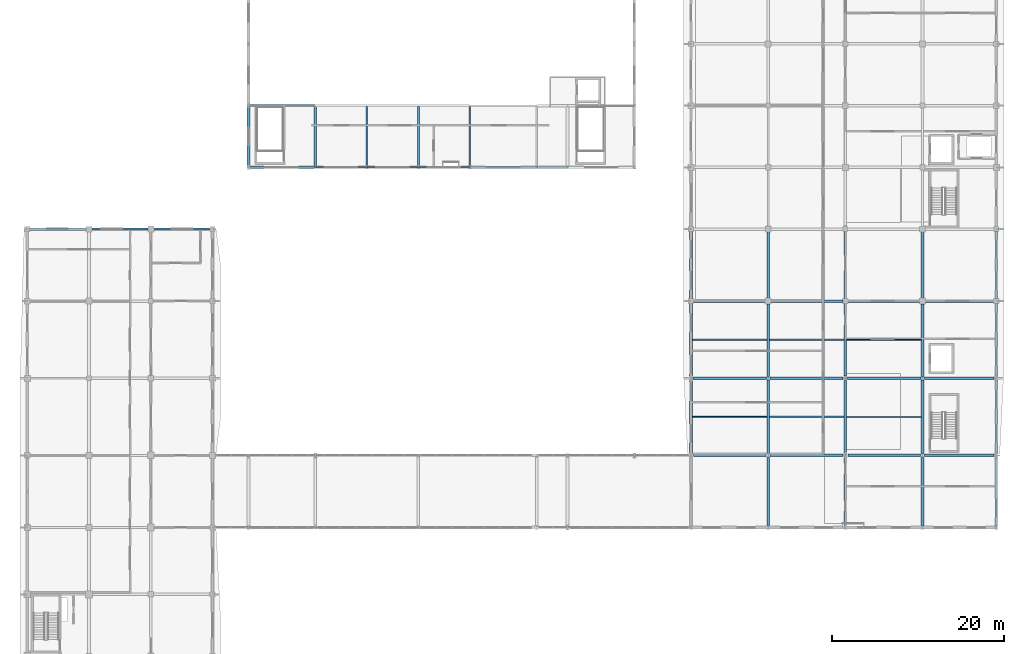
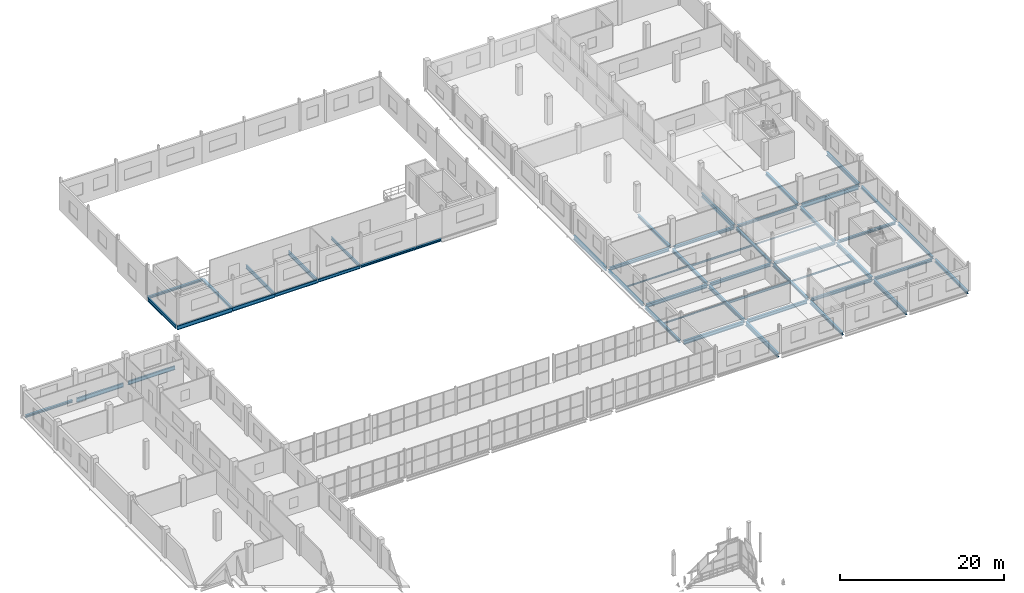
# One storey, part 70 of 121: 52 beams.
"""IFC4 building model written with IfcOpenShell, lengths in metres."""

from ifc_helpers import new_model, si_unit, direction, frame, origin, origin_2d, place, context, subcontext, project, spatial, i_section, extrude, material, material_profile, profile_set, type_object, element, save


model = new_model("IFC4")

# Units and contexts
model_context = context("Model", 3, precision=1e-05, world=origin(), true_north=direction((0.0, 1.0)))
body_context = subcontext(model_context, "Body", "Model", "MODEL_VIEW")
ifc_project = project(units=[si_unit("LENGTHUNIT", "METRE"), si_unit("AREAUNIT", "SQUARE_METRE"), si_unit("VOLUMEUNIT", "CUBIC_METRE"), si_unit("PLANEANGLEUNIT", "RADIAN"), si_unit("MASSUNIT", "GRAM", prefix="KILO")], contexts=[model_context])

# Site, building, storey
site_placement = place(None, origin())
site = spatial("IfcSite", under=ifc_project, at=site_placement, CompositionType="ELEMENT")
building_placement = place(site_placement, origin())
building = spatial("IfcBuilding", under=site, at=building_placement, Name="Vinh Khe Railworks Police Headquarters", CompositionType="ELEMENT")
storey_placement = place(building_placement, frame((0.0, 0.0, 4.800048828125)))
storey = spatial("IfcBuildingStorey", under=building, at=storey_placement, Name="L01", CompositionType="ELEMENT", Elevation=4.800048828125)

# Beams
ifc_material = material(Name="Steel S355JR", Category="steel")
ifc_material_profile_1 = material_profile(ifc_material, i_section(OverallWidth=0.179931640625, OverallDepth=0.1708984375, WebThickness=0.006103515625, FlangeThickness=0.009521484375, FilletRadius=0.014892578125, at=origin_2d()), Name="HEA 180")
ifc_profile_set_1 = profile_set([ifc_material_profile_1], Name="Steel S355JR")
beam_type_1 = type_object("IfcBeamType", Name="Secondary Joist HEA 180", PredefinedType="JOIST", material=ifc_profile_set_1)
beam_1_placement = place(storey_placement, frame((78.14990234375, 117.89990234375, -0.325439453125), z_axis=(1.0, 0.0, 0.0), x_axis=(0.0, 1.0, 0.0)))
element("IfcBeam", 1, at=beam_1_placement, inside=storey, type_object=beam_type_1, Name="Secondary Joist JST-L01-SJ-10-0002", PredefinedType="JOIST", context=body_context, shape_type="SweptSolid", body=[
    extrude(i_section(OverallWidth=0.179931640625, OverallDepth=0.1708984375, WebThickness=0.006103515625, FlangeThickness=0.009521484375, FilletRadius=0.014892578125, at=origin_2d()), origin(), (0.0, 0.0, 1.0), 8.7001953125),
])
ifc_material_profile_2 = material_profile(ifc_material, i_section(OverallWidth=0.08203125, OverallDepth=0.159912109375, WebThickness=0.0048828125, FlangeThickness=0.00732421875, FilletRadius=0.009033203125, at=origin_2d()), Name="IPE 160")
ifc_profile_set_2 = profile_set([ifc_material_profile_2], Name="Steel S355JR")
beam_type_2 = type_object("IfcBeamType", Name="Secondary Joist IPE 160", PredefinedType="JOIST", material=ifc_profile_set_2)
beam_2_placement = place(storey_placement, frame((78.14990234375, 108.89990234375, -0.320068359375), z_axis=(1.0, 0.0, 0.0), x_axis=(0.0, 1.0, 0.0)))
element("IfcBeam", 2, at=beam_2_placement, inside=storey, type_object=beam_type_2, Name="Secondary Joist JST-L01-SJ-08-0001", PredefinedType="JOIST", context=body_context, shape_type="SweptSolid", body=[
    extrude(i_section(OverallWidth=0.08203125, OverallDepth=0.159912109375, WebThickness=0.0048828125, FlangeThickness=0.00732421875, FilletRadius=0.009033203125, at=origin_2d()), origin(), (0.0, 0.0, 1.0), 8.7001953125),
])
ifc_material_profile_3 = material_profile(ifc_material, i_section(OverallWidth=0.10009765625, OverallDepth=0.199951171875, WebThickness=0.005615234375, FlangeThickness=0.008544921875, FilletRadius=0.011962890625, at=origin_2d()), Name="IPE 200")
ifc_profile_set_3 = profile_set([ifc_material_profile_3], Name="Steel S355JR")
beam_type_3 = type_object("IfcBeamType", Name="Secondary Joist IPE 200", PredefinedType="JOIST", material=ifc_profile_set_3)
beam_3_placement = place(storey_placement, frame((96.14990234375, 117.89990234375, -0.340087890625), z_axis=(1.0, 0.0, 0.0), x_axis=(0.0, 1.0, 0.0)))
element("IfcBeam", 3, at=beam_3_placement, inside=storey, type_object=beam_type_3, Name="Secondary Joist JST-L01-SJ-06-0006", PredefinedType="JOIST", context=body_context, shape_type="SweptSolid", body=[
    extrude(i_section(OverallWidth=0.10009765625, OverallDepth=0.199951171875, WebThickness=0.005615234375, FlangeThickness=0.008544921875, FilletRadius=0.011962890625, at=origin_2d()), origin(), (0.0, 0.0, 1.0), 8.7001953125),
])
ifc_material_profile_4 = material_profile(ifc_material, i_section(OverallWidth=0.1201171875, OverallDepth=0.239990234375, WebThickness=0.006103515625, FlangeThickness=0.009765625, FilletRadius=0.014892578125, at=origin_2d()), Name="IPE 240")
ifc_profile_set_4 = profile_set([ifc_material_profile_4], Name="Steel S355JR")
beam_type_4 = type_object("IfcBeamType", Name="Secondary Joist IPE 240", PredefinedType="JOIST", material=ifc_profile_set_4)
beam_4_placement = place(storey_placement, frame((96.14990234375, 108.89990234375, -0.360107421875), z_axis=(1.0, 0.0, 0.0), x_axis=(0.0, 1.0, 0.0)))
element("IfcBeam", 4, at=beam_4_placement, inside=storey, type_object=beam_type_4, Name="Secondary Joist JST-L01-SJ-04-0005", PredefinedType="JOIST", context=body_context, shape_type="SweptSolid", body=[
    extrude(i_section(OverallWidth=0.1201171875, OverallDepth=0.239990234375, WebThickness=0.006103515625, FlangeThickness=0.009765625, FilletRadius=0.014892578125, at=origin_2d()), origin(), (0.0, 0.0, 1.0), 8.7001953125),
])
ifc_material_profile_5 = material_profile(ifc_material, i_section(OverallWidth=0.135009765625, OverallDepth=0.27001953125, WebThickness=0.006591796875, FlangeThickness=0.01025390625, FilletRadius=0.014892578125, at=origin_2d()), Name="IPE 270")
ifc_profile_set_5 = profile_set([ifc_material_profile_5], Name="Steel S355JR")
beam_type_5 = type_object("IfcBeamType", Name="Secondary Joist IPE 270", PredefinedType="JOIST", material=ifc_profile_set_5)
beam_5_placement = place(storey_placement, frame((87.14990234375, 117.89990234375, -0.375), z_axis=(1.0, 0.0, 0.0), x_axis=(0.0, 1.0, 0.0)))
element("IfcBeam", 5, at=beam_5_placement, inside=storey, type_object=beam_type_5, Name="Secondary Joist JST-L01-SJ-03-0004", PredefinedType="JOIST", context=body_context, shape_type="SweptSolid", body=[
    extrude(i_section(OverallWidth=0.135009765625, OverallDepth=0.27001953125, WebThickness=0.006591796875, FlangeThickness=0.01025390625, FilletRadius=0.014892578125, at=origin_2d()), origin(), (0.0, 0.0, 1.0), 8.7001953125),
])
ifc_material_profile_6 = material_profile(ifc_material, i_section(OverallWidth=0.159912109375, OverallDepth=0.330078125, WebThickness=0.007568359375, FlangeThickness=0.011474609375, FilletRadius=0.01806640625, at=origin_2d()), Name="IPE 330")
ifc_profile_set_6 = profile_set([ifc_material_profile_6], Name="Steel S355JR")
beam_type_6 = type_object("IfcBeamType", Name="Secondary Joist IPE 330", PredefinedType="JOIST", material=ifc_profile_set_6)
beam_6_placement = place(storey_placement, frame((87.14990234375, 108.89990234375, -0.405029296875), z_axis=(1.0, 0.0, 0.0), x_axis=(0.0, 1.0, 0.0)))
element("IfcBeam", 6, at=beam_6_placement, inside=storey, type_object=beam_type_6, Name="Secondary Joist JST-L01-SJ-01-0003", PredefinedType="JOIST", context=body_context, shape_type="SweptSolid", body=[
    extrude(i_section(OverallWidth=0.159912109375, OverallDepth=0.330078125, WebThickness=0.007568359375, FlangeThickness=0.011474609375, FilletRadius=0.01806640625, at=origin_2d()), origin(), (0.0, 0.0, 1.0), 8.7001953125),
])
ifc_material_profile_7 = material_profile(ifc_material, i_section(OverallWidth=0.300048828125, OverallDepth=0.330078125, WebThickness=0.009521484375, FlangeThickness=0.0166015625, FilletRadius=0.027099609375, at=origin_2d()), Name="HEA 340")
ifc_profile_set_7 = profile_set([ifc_material_profile_7], Name="Steel S355JR")
beam_type_7 = type_object("IfcBeamType", Name="Steel Girder HEA 340", PredefinedType="BEAM", material=ifc_profile_set_7)
beam_7_placement = place(storey_placement, frame((0.8798828125, 130.800048828125, -0.405029296875), z_axis=(1.0, 0.0, 0.0), x_axis=(0.0, 1.0, 0.0)))
element("IfcBeam", 7, at=beam_7_placement, inside=storey, type_object=beam_type_7, Name="Girder BM-L01-EW-SB-16-0518", PredefinedType="BEAM", context=body_context, shape_type="SweptSolid", body=[
    extrude(i_section(OverallWidth=0.300048828125, OverallDepth=0.330078125, WebThickness=0.009521484375, FlangeThickness=0.0166015625, FilletRadius=0.027099609375, at=origin_2d()), origin(), (0.0, 0.0, 1.0), 6.615234375),
])
beam_8_placement = place(storey_placement, frame((60.02001953125, 138.0, -0.405029296875), z_axis=(1.0, 0.0, 0.0), x_axis=(0.0, 1.0, 0.0)))
element("IfcBeam", 8, at=beam_8_placement, inside=storey, type_object=beam_type_7, Name="Girder BM-L01-EW-SB-16-0530", PredefinedType="BEAM", context=body_context, shape_type="SweptSolid", body=[
    extrude(i_section(OverallWidth=0.300048828125, OverallDepth=0.330078125, WebThickness=0.009521484375, FlangeThickness=0.0166015625, FilletRadius=0.027099609375, at=origin_2d()), origin(), (0.0, 0.0, 1.0), 3.56005859375),
])
beam_9_placement = place(storey_placement, frame((26.419921875, 145.199951171875, -0.405029296875), z_axis=(1.0, 0.0, 0.0), x_axis=(0.0, 1.0, 0.0)))
element("IfcBeam", 9, at=beam_9_placement, inside=storey, type_object=beam_type_7, Name="Girder BM-L01-EW-SB-16-0536", PredefinedType="BEAM", context=body_context, shape_type="SweptSolid", body=[
    extrude(i_section(OverallWidth=0.300048828125, OverallDepth=0.330078125, WebThickness=0.009521484375, FlangeThickness=0.0166015625, FilletRadius=0.027099609375, at=origin_2d()), origin(), (0.0, 0.0, 1.0), 7.760009765625),
])
beam_10_placement = place(storey_placement, frame((34.199951171875, 138.114990234375, -0.405029296875), z_axis=(0.0, 1.0, 0.0), x_axis=(-1.0, 0.0, 0.0)))
element("IfcBeam", 10, at=beam_10_placement, inside=storey, type_object=beam_type_7, Name="Girder BM-L01-NS-SB-16-0644", PredefinedType="BEAM", context=body_context, shape_type="SweptSolid", body=[
    extrude(i_section(OverallWidth=0.300048828125, OverallDepth=0.330078125, WebThickness=0.009521484375, FlangeThickness=0.0166015625, FilletRadius=0.027099609375, at=origin_2d()), origin(), (0.0, 0.0, 1.0), 6.989990234375),
])
ifc_material_profile_8 = material_profile(ifc_material, i_section(OverallWidth=0.300048828125, OverallDepth=0.35009765625, WebThickness=0.010009765625, FlangeThickness=0.017578125, FilletRadius=0.027099609375, at=origin_2d()), Name="HEA 360")
ifc_profile_set_8 = profile_set([ifc_material_profile_8], Name="Steel S355JR")
beam_type_8 = type_object("IfcBeamType", Name="Steel Girder HEA 360", PredefinedType="BEAM", material=ifc_profile_set_8)
beam_11_placement = place(storey_placement, frame((105.205078125, 113.39990234375, -0.4150390625), z_axis=(1.0, 0.0, 0.0), x_axis=(0.0, 1.0, 0.0)))
element("IfcBeam", 11, at=beam_11_placement, inside=storey, type_object=beam_type_8, Name="Girder BM-L01-EW-SB-15-0510", PredefinedType="BEAM", context=body_context, shape_type="SweptSolid", body=[
    extrude(i_section(OverallWidth=0.300048828125, OverallDepth=0.35009765625, WebThickness=0.010009765625, FlangeThickness=0.017578125, FilletRadius=0.027099609375, at=origin_2d()), origin(), (0.0, 0.0, 1.0), 8.139892578125),
])
beam_12_placement = place(storey_placement, frame((96.280029296875, 122.39990234375, -0.4150390625), z_axis=(1.0, 0.0, 0.0), x_axis=(0.0, 1.0, 0.0)))
element("IfcBeam", 12, at=beam_12_placement, inside=storey, type_object=beam_type_8, Name="Girder BM-L01-EW-SB-15-0516", PredefinedType="BEAM", context=body_context, shape_type="SweptSolid", body=[
    extrude(i_section(OverallWidth=0.300048828125, OverallDepth=0.35009765625, WebThickness=0.010009765625, FlangeThickness=0.017578125, FilletRadius=0.027099609375, at=origin_2d()), origin(), (0.0, 0.0, 1.0), 8.389892578125),
])
beam_13_placement = place(storey_placement, frame((52.219970703125, 138.0, -0.4150390625), z_axis=(1.0, 0.0, 0.0), x_axis=(0.0, 1.0, 0.0)))
element("IfcBeam", 13, at=beam_13_placement, inside=storey, type_object=beam_type_8, Name="Girder BM-L01-EW-SB-15-0529", PredefinedType="BEAM", context=body_context, shape_type="SweptSolid", body=[
    extrude(i_section(OverallWidth=0.300048828125, OverallDepth=0.35009765625, WebThickness=0.010009765625, FlangeThickness=0.017578125, FilletRadius=0.027099609375, at=origin_2d()), origin(), (0.0, 0.0, 1.0), 7.760009765625),
])
for number, where, z_axis, x_axis, name in (
    (14, (78.0, 113.655029296875, -0.4150390625), (0.0, 1.0, 0.0), (-1.0, 0.0, 0.0), "Girder BM-L01-NS-SB-15-0672"),
    (15, (96.0, 113.655029296875, -0.4150390625), (0.0, 1.0, 0.0), (-1.0, 0.0, 0.0), "Girder BM-L01-NS-SB-15-0690"),
    (16, (113.60009765625, 113.655029296875, -0.4150390625), (0.0, 1.0, 0.0), (-1.0, 0.0, 0.0), "Girder BM-L01-NS-SB-15-0708"),
):
    element("IfcBeam", number, at=place(storey_placement, frame(where, z_axis=z_axis, x_axis=x_axis)), inside=storey, type_object=beam_type_8, Name=name, PredefinedType="BEAM", context=body_context, shape_type="SweptSolid", body=[
        extrude(i_section(OverallWidth=0.300048828125, OverallDepth=0.35009765625, WebThickness=0.010009765625, FlangeThickness=0.017578125, FilletRadius=0.027099609375, at=origin_2d()), origin(), (0.0, 0.0, 1.0), 8.465087890625),
    ])
ifc_material_profile_9 = material_profile(ifc_material, i_section(OverallWidth=0.300048828125, OverallDepth=0.389892578125, WebThickness=0.010986328125, FlangeThickness=0.01904296875, FilletRadius=0.027099609375, at=origin_2d()), Name="HEA 400")
ifc_profile_set_9 = profile_set([ifc_material_profile_9], Name="Steel S355JR")
beam_type_9 = type_object("IfcBeamType", Name="Steel Girder HEA 400", PredefinedType="BEAM", material=ifc_profile_set_9)
beam_14_placement = place(storey_placement, frame((105.22998046875, 104.39990234375, -0.43505859375), z_axis=(1.0, 0.0, 0.0), x_axis=(0.0, 1.0, 0.0)))
element("IfcBeam", 17, at=beam_14_placement, inside=storey, type_object=beam_type_9, Name="Girder BM-L01-EW-SB-14-0503", PredefinedType="BEAM", context=body_context, shape_type="SweptSolid", body=[
    extrude(i_section(OverallWidth=0.300048828125, OverallDepth=0.389892578125, WebThickness=0.010986328125, FlangeThickness=0.01904296875, FilletRadius=0.027099609375, at=origin_2d()), origin(), (0.0, 0.0, 1.0), 8.090087890625),
])
beam_15_placement = place(storey_placement, frame((96.2548828125, 113.39990234375, -0.43505859375), z_axis=(1.0, 0.0, 0.0), x_axis=(0.0, 1.0, 0.0)))
element("IfcBeam", 18, at=beam_15_placement, inside=storey, type_object=beam_type_9, Name="Girder BM-L01-EW-SB-14-0509", PredefinedType="BEAM", context=body_context, shape_type="SweptSolid", body=[
    extrude(i_section(OverallWidth=0.300048828125, OverallDepth=0.389892578125, WebThickness=0.010986328125, FlangeThickness=0.01904296875, FilletRadius=0.027099609375, at=origin_2d()), origin(), (0.0, 0.0, 1.0), 8.5400390625),
])
beam_16_placement = place(storey_placement, frame((87.330078125, 122.39990234375, -0.43505859375), z_axis=(1.0, 0.0, 0.0), x_axis=(0.0, 1.0, 0.0)))
element("IfcBeam", 19, at=beam_16_placement, inside=storey, type_object=beam_type_9, Name="Girder BM-L01-EW-SB-14-0515", PredefinedType="BEAM", context=body_context, shape_type="SweptSolid", body=[
    extrude(i_section(OverallWidth=0.300048828125, OverallDepth=0.389892578125, WebThickness=0.010986328125, FlangeThickness=0.01904296875, FilletRadius=0.027099609375, at=origin_2d()), origin(), (0.0, 0.0, 1.0), 8.389892578125),
])
for number, where, z_axis, x_axis, name in (
    (20, (78.0, 104.679931640625, -0.43505859375), (0.0, 1.0, 0.0), (-1.0, 0.0, 0.0), "Girder BM-L01-NS-SB-14-0671"),
    (21, (96.0, 104.679931640625, -0.43505859375), (0.0, 1.0, 0.0), (-1.0, 0.0, 0.0), "Girder BM-L01-NS-SB-14-0689"),
    (22, (113.60009765625, 104.679931640625, -0.43505859375), (0.0, 1.0, 0.0), (-1.0, 0.0, 0.0), "Girder BM-L01-NS-SB-14-0707"),
):
    element("IfcBeam", number, at=place(storey_placement, frame(where, z_axis=z_axis, x_axis=x_axis)), inside=storey, type_object=beam_type_9, Name=name, PredefinedType="BEAM", context=body_context, shape_type="SweptSolid", body=[
        extrude(i_section(OverallWidth=0.300048828125, OverallDepth=0.389892578125, WebThickness=0.010986328125, FlangeThickness=0.01904296875, FilletRadius=0.027099609375, at=origin_2d()), origin(), (0.0, 0.0, 1.0), 8.465087890625),
    ])
ifc_material_profile_10 = material_profile(ifc_material, i_section(OverallWidth=0.300048828125, OverallDepth=0.43994140625, WebThickness=0.011474609375, FlangeThickness=0.02099609375, FilletRadius=0.027099609375, at=origin_2d()), Name="HEA 450")
ifc_profile_set_10 = profile_set([ifc_material_profile_10], Name="Steel S355JR")
beam_type_10 = type_object("IfcBeamType", Name="Steel Girder HEA 450", PredefinedType="BEAM", material=ifc_profile_set_10)
beam_17_placement = place(storey_placement, frame((96.280029296875, 104.39990234375, -0.4599609375), z_axis=(1.0, 0.0, 0.0), x_axis=(0.0, 1.0, 0.0)))
element("IfcBeam", 23, at=beam_17_placement, inside=storey, type_object=beam_type_10, Name="Girder BM-L01-EW-SB-13-0502", PredefinedType="BEAM", context=body_context, shape_type="SweptSolid", body=[
    extrude(i_section(OverallWidth=0.300048828125, OverallDepth=0.43994140625, WebThickness=0.011474609375, FlangeThickness=0.02099609375, FilletRadius=0.027099609375, at=origin_2d()), origin(), (0.0, 0.0, 1.0), 8.489990234375),
])
beam_18_placement = place(storey_placement, frame((87.205078125, 113.39990234375, -0.4599609375), z_axis=(1.0, 0.0, 0.0), x_axis=(0.0, 1.0, 0.0)))
element("IfcBeam", 24, at=beam_18_placement, inside=storey, type_object=beam_type_10, Name="Girder BM-L01-EW-SB-13-0508", PredefinedType="BEAM", context=body_context, shape_type="SweptSolid", body=[
    extrude(i_section(OverallWidth=0.300048828125, OverallDepth=0.43994140625, WebThickness=0.011474609375, FlangeThickness=0.02099609375, FilletRadius=0.027099609375, at=origin_2d()), origin(), (0.0, 0.0, 1.0), 8.5400390625),
])
beam_19_placement = place(storey_placement, frame((78.280029296875, 122.39990234375, -0.4599609375), z_axis=(1.0, 0.0, 0.0), x_axis=(0.0, 1.0, 0.0)))
element("IfcBeam", 25, at=beam_19_placement, inside=storey, type_object=beam_type_10, Name="Girder BM-L01-EW-SB-13-0514", PredefinedType="BEAM", context=body_context, shape_type="SweptSolid", body=[
    extrude(i_section(OverallWidth=0.300048828125, OverallDepth=0.43994140625, WebThickness=0.011474609375, FlangeThickness=0.02099609375, FilletRadius=0.027099609375, at=origin_2d()), origin(), (0.0, 0.0, 1.0), 8.389892578125),
])
beam_20_placement = place(storey_placement, frame((87.0, 122.72998046875, -0.4599609375), z_axis=(0.0, 1.0, 0.0), x_axis=(-1.0, 0.0, 0.0)))
element("IfcBeam", 26, at=beam_20_placement, inside=storey, type_object=beam_type_10, Name="Girder BM-L01-NS-SB-13-0682", PredefinedType="BEAM", context=body_context, shape_type="SweptSolid", body=[
    extrude(i_section(OverallWidth=0.300048828125, OverallDepth=0.43994140625, WebThickness=0.011474609375, FlangeThickness=0.02099609375, FilletRadius=0.027099609375, at=origin_2d()), origin(), (0.0, 0.0, 1.0), 7.76513671875),
])
beam_21_placement = place(storey_placement, frame((96.0, 96.205078125, -0.4599609375), z_axis=(0.0, 1.0, 0.0), x_axis=(-1.0, 0.0, 0.0)))
element("IfcBeam", 27, at=beam_21_placement, inside=storey, type_object=beam_type_10, Name="Girder BM-L01-NS-SB-13-0688", PredefinedType="BEAM", context=body_context, shape_type="SweptSolid", body=[
    extrude(i_section(OverallWidth=0.300048828125, OverallDepth=0.43994140625, WebThickness=0.011474609375, FlangeThickness=0.02099609375, FilletRadius=0.027099609375, at=origin_2d()), origin(), (0.0, 0.0, 1.0), 7.9150390625),
])
beam_22_placement = place(storey_placement, frame((105.0, 122.72998046875, -0.4599609375), z_axis=(0.0, 1.0, 0.0), x_axis=(-1.0, 0.0, 0.0)))
element("IfcBeam", 28, at=beam_22_placement, inside=storey, type_object=beam_type_10, Name="Girder BM-L01-NS-SB-13-0700", PredefinedType="BEAM", context=body_context, shape_type="SweptSolid", body=[
    extrude(i_section(OverallWidth=0.300048828125, OverallDepth=0.43994140625, WebThickness=0.011474609375, FlangeThickness=0.02099609375, FilletRadius=0.027099609375, at=origin_2d()), origin(), (0.0, 0.0, 1.0), 7.76513671875),
])
beam_23_placement = place(storey_placement, frame((113.60009765625, 96.205078125, -0.4599609375), z_axis=(0.0, 1.0, 0.0), x_axis=(-1.0, 0.0, 0.0)))
element("IfcBeam", 29, at=beam_23_placement, inside=storey, type_object=beam_type_10, Name="Girder BM-L01-NS-SB-13-0706", PredefinedType="BEAM", context=body_context, shape_type="SweptSolid", body=[
    extrude(i_section(OverallWidth=0.300048828125, OverallDepth=0.43994140625, WebThickness=0.011474609375, FlangeThickness=0.02099609375, FilletRadius=0.027099609375, at=origin_2d()), origin(), (0.0, 0.0, 1.0), 7.9150390625),
])
ifc_material_profile_11 = material_profile(ifc_material, i_section(OverallWidth=0.300048828125, OverallDepth=0.489990234375, WebThickness=0.011962890625, FlangeThickness=0.02294921875, FilletRadius=0.027099609375, at=origin_2d()), Name="HEA 500")
ifc_profile_set_11 = profile_set([ifc_material_profile_11], Name="Steel S355JR")
beam_type_11 = type_object("IfcBeamType", Name="Steel Girder HEA 500", PredefinedType="BEAM", material=ifc_profile_set_11)
beam_24_placement = place(storey_placement, frame((87.22998046875, 104.39990234375, -0.485107421875), z_axis=(1.0, 0.0, 0.0), x_axis=(0.0, 1.0, 0.0)))
element("IfcBeam", 30, at=beam_24_placement, inside=storey, type_object=beam_type_11, Name="Girder BM-L01-EW-SB-12-0501", PredefinedType="BEAM", context=body_context, shape_type="SweptSolid", body=[
    extrude(i_section(OverallWidth=0.300048828125, OverallDepth=0.489990234375, WebThickness=0.011962890625, FlangeThickness=0.02294921875, FilletRadius=0.027099609375, at=origin_2d()), origin(), (0.0, 0.0, 1.0), 8.489990234375),
])
beam_25_placement = place(storey_placement, frame((78.2548828125, 113.39990234375, -0.485107421875), z_axis=(1.0, 0.0, 0.0), x_axis=(0.0, 1.0, 0.0)))
element("IfcBeam", 31, at=beam_25_placement, inside=storey, type_object=beam_type_11, Name="Girder BM-L01-EW-SB-12-0507", PredefinedType="BEAM", context=body_context, shape_type="SweptSolid", body=[
    extrude(i_section(OverallWidth=0.300048828125, OverallDepth=0.489990234375, WebThickness=0.011962890625, FlangeThickness=0.02294921875, FilletRadius=0.027099609375, at=origin_2d()), origin(), (0.0, 0.0, 1.0), 8.5400390625),
])
for number, where, z_axis, x_axis, name in (
    (32, (87.0, 113.60498046875, -0.485107421875), (0.0, 1.0, 0.0), (-1.0, 0.0, 0.0), "Girder BM-L01-NS-SB-12-0681"),
    (33, (105.0, 113.60498046875, -0.485107421875), (0.0, 1.0, 0.0), (-1.0, 0.0, 0.0), "Girder BM-L01-NS-SB-12-0699"),
):
    element("IfcBeam", number, at=place(storey_placement, frame(where, z_axis=z_axis, x_axis=x_axis)), inside=storey, type_object=beam_type_11, Name=name, PredefinedType="BEAM", context=body_context, shape_type="SweptSolid", body=[
        extrude(i_section(OverallWidth=0.300048828125, OverallDepth=0.489990234375, WebThickness=0.011962890625, FlangeThickness=0.02294921875, FilletRadius=0.027099609375, at=origin_2d()), origin(), (0.0, 0.0, 1.0), 8.465087890625),
    ])
ifc_material_profile_12 = material_profile(ifc_material, i_section(OverallWidth=0.300048828125, OverallDepth=0.5400390625, WebThickness=0.012451171875, FlangeThickness=0.02392578125, FilletRadius=0.027099609375, at=origin_2d()), Name="HEA 550")
ifc_profile_set_12 = profile_set([ifc_material_profile_12], Name="Steel S355JR")
beam_type_12 = type_object("IfcBeamType", Name="Steel Girder HEA 550", PredefinedType="BEAM", material=ifc_profile_set_12)
beam_26_placement = place(storey_placement, frame((78.280029296875, 104.39990234375, -0.510009765625), z_axis=(1.0, 0.0, 0.0), x_axis=(0.0, 1.0, 0.0)))
element("IfcBeam", 34, at=beam_26_placement, inside=storey, type_object=beam_type_12, Name="Girder BM-L01-EW-SB-11-0500", PredefinedType="BEAM", context=body_context, shape_type="SweptSolid", body=[
    extrude(i_section(OverallWidth=0.300048828125, OverallDepth=0.5400390625, WebThickness=0.012451171875, FlangeThickness=0.02392578125, FilletRadius=0.027099609375, at=origin_2d()), origin(), (0.0, 0.0, 1.0), 8.489990234375),
])
for number, where, z_axis, x_axis, name in (
    (35, (87.0, 104.6298828125, -0.510009765625), (0.0, 1.0, 0.0), (-1.0, 0.0, 0.0), "Girder BM-L01-NS-SB-11-0680"),
    (36, (105.0, 104.6298828125, -0.510009765625), (0.0, 1.0, 0.0), (-1.0, 0.0, 0.0), "Girder BM-L01-NS-SB-11-0698"),
):
    element("IfcBeam", number, at=place(storey_placement, frame(where, z_axis=z_axis, x_axis=x_axis)), inside=storey, type_object=beam_type_12, Name=name, PredefinedType="BEAM", context=body_context, shape_type="SweptSolid", body=[
        extrude(i_section(OverallWidth=0.300048828125, OverallDepth=0.5400390625, WebThickness=0.012451171875, FlangeThickness=0.02392578125, FilletRadius=0.027099609375, at=origin_2d()), origin(), (0.0, 0.0, 1.0), 8.565185546875),
    ])
ifc_material_profile_13 = material_profile(ifc_material, i_section(OverallWidth=0.300048828125, OverallDepth=0.590087890625, WebThickness=0.012939453125, FlangeThickness=0.02490234375, FilletRadius=0.027099609375, at=origin_2d()), Name="HEA 600")
ifc_profile_set_13 = profile_set([ifc_material_profile_13], Name="Steel S355JR")
beam_type_13 = type_object("IfcBeamType", Name="Steel Girder HEA 600", PredefinedType="BEAM", material=ifc_profile_set_13)
beam_27_placement = place(storey_placement, frame((105.330078125, 122.39990234375, -0.53515625), z_axis=(1.0, 0.0, 0.0), x_axis=(0.0, 1.0, 0.0)))
element("IfcBeam", 37, at=beam_27_placement, inside=storey, type_object=beam_type_13, Name="Girder BM-L01-EW-SB-10-0517", PredefinedType="BEAM", context=body_context, shape_type="SweptSolid", body=[
    extrude(i_section(OverallWidth=0.300048828125, OverallDepth=0.590087890625, WebThickness=0.012939453125, FlangeThickness=0.02490234375, FilletRadius=0.027099609375, at=origin_2d()), origin(), (0.0, 0.0, 1.0), 7.989990234375),
])
beam_28_placement = place(storey_placement, frame((78.0, 122.679931640625, -0.53515625), z_axis=(0.0, 1.0, 0.0), x_axis=(-1.0, 0.0, 0.0)))
element("IfcBeam", 38, at=beam_28_placement, inside=storey, type_object=beam_type_13, Name="Girder BM-L01-NS-SB-10-0673", PredefinedType="BEAM", context=body_context, shape_type="SweptSolid", body=[
    extrude(i_section(OverallWidth=0.300048828125, OverallDepth=0.590087890625, WebThickness=0.012939453125, FlangeThickness=0.02490234375, FilletRadius=0.027099609375, at=origin_2d()), origin(), (0.0, 0.0, 1.0), 7.864990234375),
])
beam_29_placement = place(storey_placement, frame((87.0, 96.2548828125, -0.53515625), z_axis=(0.0, 1.0, 0.0), x_axis=(-1.0, 0.0, 0.0)))
element("IfcBeam", 39, at=beam_29_placement, inside=storey, type_object=beam_type_13, Name="Girder BM-L01-NS-SB-10-0679", PredefinedType="BEAM", context=body_context, shape_type="SweptSolid", body=[
    extrude(i_section(OverallWidth=0.300048828125, OverallDepth=0.590087890625, WebThickness=0.012939453125, FlangeThickness=0.02490234375, FilletRadius=0.027099609375, at=origin_2d()), origin(), (0.0, 0.0, 1.0), 7.9150390625),
])
beam_30_placement = place(storey_placement, frame((96.0, 122.679931640625, -0.53515625), z_axis=(0.0, 1.0, 0.0), x_axis=(-1.0, 0.0, 0.0)))
element("IfcBeam", 40, at=beam_30_placement, inside=storey, type_object=beam_type_13, Name="Girder BM-L01-NS-SB-10-0691", PredefinedType="BEAM", context=body_context, shape_type="SweptSolid", body=[
    extrude(i_section(OverallWidth=0.300048828125, OverallDepth=0.590087890625, WebThickness=0.012939453125, FlangeThickness=0.02490234375, FilletRadius=0.027099609375, at=origin_2d()), origin(), (0.0, 0.0, 1.0), 7.864990234375),
])
beam_31_placement = place(storey_placement, frame((105.0, 96.2548828125, -0.53515625), z_axis=(0.0, 1.0, 0.0), x_axis=(-1.0, 0.0, 0.0)))
element("IfcBeam", 41, at=beam_31_placement, inside=storey, type_object=beam_type_13, Name="Girder BM-L01-NS-SB-10-0697", PredefinedType="BEAM", context=body_context, shape_type="SweptSolid", body=[
    extrude(i_section(OverallWidth=0.300048828125, OverallDepth=0.590087890625, WebThickness=0.012939453125, FlangeThickness=0.02490234375, FilletRadius=0.027099609375, at=origin_2d()), origin(), (0.0, 0.0, 1.0), 7.9150390625),
])
beam_32_placement = place(storey_placement, frame((113.60009765625, 122.679931640625, -0.53515625), z_axis=(0.0, 1.0, 0.0), x_axis=(-1.0, 0.0, 0.0)))
element("IfcBeam", 42, at=beam_32_placement, inside=storey, type_object=beam_type_13, Name="Girder BM-L01-NS-SB-10-0709", PredefinedType="BEAM", context=body_context, shape_type="SweptSolid", body=[
    extrude(i_section(OverallWidth=0.300048828125, OverallDepth=0.590087890625, WebThickness=0.012939453125, FlangeThickness=0.02490234375, FilletRadius=0.027099609375, at=origin_2d()), origin(), (0.0, 0.0, 1.0), 7.864990234375),
])
ifc_material_profile_14 = material_profile(ifc_material, i_section(OverallWidth=0.18994140625, OverallDepth=0.449951171875, WebThickness=0.009521484375, FlangeThickness=0.0146484375, FilletRadius=0.02099609375, at=origin_2d()), Name="IPE 450")
ifc_profile_set_14 = profile_set([ifc_material_profile_14], Name="Steel S355JR")
beam_type_14 = type_object("IfcBeamType", Name="Steel Girder IPE 450", PredefinedType="BEAM", material=ifc_profile_set_14)
beam_33_placement = place(storey_placement, frame((46.219970703125, 138.0, -0.465087890625), z_axis=(1.0, 0.0, 0.0), x_axis=(0.0, 1.0, 0.0)))
element("IfcBeam", 43, at=beam_33_placement, inside=storey, type_object=beam_type_14, Name="Girder BM-L01-EW-SB-20-0528", PredefinedType="BEAM", context=body_context, shape_type="SweptSolid", body=[
    extrude(i_section(OverallWidth=0.18994140625, OverallDepth=0.449951171875, WebThickness=0.009521484375, FlangeThickness=0.0146484375, FilletRadius=0.02099609375, at=origin_2d()), origin(), (0.0, 0.0, 1.0), 5.9599609375),
])
beam_34_placement = place(storey_placement, frame((52.199951171875, 138.14990234375, -0.465087890625), z_axis=(0.0, 1.0, 0.0), x_axis=(-1.0, 0.0, 0.0)))
element("IfcBeam", 44, at=beam_34_placement, inside=storey, type_object=beam_type_14, Name="Girder BM-L01-NS-SB-20-0654", PredefinedType="BEAM", context=body_context, shape_type="SweptSolid", body=[
    extrude(i_section(OverallWidth=0.18994140625, OverallDepth=0.449951171875, WebThickness=0.009521484375, FlangeThickness=0.0146484375, FilletRadius=0.02099609375, at=origin_2d()), origin(), (0.0, 0.0, 1.0), 6.920166015625),
])
ifc_material_profile_15 = material_profile(ifc_material, i_section(OverallWidth=0.199951171875, OverallDepth=0.5, WebThickness=0.01025390625, FlangeThickness=0.01611328125, FilletRadius=0.02099609375, at=origin_2d()), Name="IPE 500")
ifc_profile_set_15 = profile_set([ifc_material_profile_15], Name="Steel S355JR")
beam_type_15 = type_object("IfcBeamType", Name="Steel Girder IPE 500", PredefinedType="BEAM", material=ifc_profile_set_15)
beam_35_placement = place(storey_placement, frame((40.219970703125, 138.0, -0.489990234375), z_axis=(1.0, 0.0, 0.0), x_axis=(0.0, 1.0, 0.0)))
element("IfcBeam", 45, at=beam_35_placement, inside=storey, type_object=beam_type_15, Name="Girder BM-L01-EW-SB-19-0527", PredefinedType="BEAM", context=body_context, shape_type="SweptSolid", body=[
    extrude(i_section(OverallWidth=0.199951171875, OverallDepth=0.5, WebThickness=0.01025390625, FlangeThickness=0.01611328125, FilletRadius=0.02099609375, at=origin_2d()), origin(), (0.0, 0.0, 1.0), 5.9599609375),
])
beam_36_placement = place(storey_placement, frame((40.199951171875, 138.14990234375, -0.489990234375), z_axis=(0.0, 1.0, 0.0), x_axis=(-1.0, 0.0, 0.0)))
element("IfcBeam", 46, at=beam_36_placement, inside=storey, type_object=beam_type_15, Name="Girder BM-L01-NS-SB-19-0647", PredefinedType="BEAM", context=body_context, shape_type="SweptSolid", body=[
    extrude(i_section(OverallWidth=0.199951171875, OverallDepth=0.5, WebThickness=0.01025390625, FlangeThickness=0.01611328125, FilletRadius=0.02099609375, at=origin_2d()), origin(), (0.0, 0.0, 1.0), 6.920166015625),
])
ifc_material_profile_16 = material_profile(ifc_material, i_section(OverallWidth=0.2099609375, OverallDepth=0.550048828125, WebThickness=0.010986328125, FlangeThickness=0.01708984375, FilletRadius=0.02392578125, at=origin_2d()), Name="IPE 550")
ifc_profile_set_16 = profile_set([ifc_material_profile_16], Name="Steel S355JR")
beam_type_16 = type_object("IfcBeamType", Name="Steel Girder IPE 550", PredefinedType="BEAM", material=ifc_profile_set_16)
beam_37_placement = place(storey_placement, frame((15.330078125, 130.800048828125, -0.51513671875), z_axis=(1.0, 0.0, 0.0), x_axis=(0.0, 1.0, 0.0)))
element("IfcBeam", 47, at=beam_37_placement, inside=storey, type_object=beam_type_16, Name="Girder BM-L01-EW-SB-18-0520", PredefinedType="BEAM", context=body_context, shape_type="SweptSolid", body=[
    extrude(i_section(OverallWidth=0.2099609375, OverallDepth=0.550048828125, WebThickness=0.010986328125, FlangeThickness=0.01708984375, FilletRadius=0.02392578125, at=origin_2d()), origin(), (0.0, 0.0, 1.0), 6.614990234375),
])
beam_38_placement = place(storey_placement, frame((34.219970703125, 138.0, -0.51513671875), z_axis=(1.0, 0.0, 0.0), x_axis=(0.0, 1.0, 0.0)))
element("IfcBeam", 48, at=beam_38_placement, inside=storey, type_object=beam_type_16, Name="Girder BM-L01-EW-SB-18-0526", PredefinedType="BEAM", context=body_context, shape_type="SweptSolid", body=[
    extrude(i_section(OverallWidth=0.2099609375, OverallDepth=0.550048828125, WebThickness=0.010986328125, FlangeThickness=0.01708984375, FilletRadius=0.02392578125, at=origin_2d()), origin(), (0.0, 0.0, 1.0), 5.9599609375),
])
beam_39_placement = place(storey_placement, frame((26.39990234375, 138.199951171875, -0.51513671875), z_axis=(0.0, 1.0, 0.0), x_axis=(-1.0, 0.0, 0.0)))
element("IfcBeam", 49, at=beam_39_placement, inside=storey, type_object=beam_type_16, Name="Girder BM-L01-NS-SB-18-0640", PredefinedType="BEAM", context=body_context, shape_type="SweptSolid", body=[
    extrude(i_section(OverallWidth=0.2099609375, OverallDepth=0.550048828125, WebThickness=0.010986328125, FlangeThickness=0.01708984375, FilletRadius=0.02392578125, at=origin_2d()), origin(), (0.0, 0.0, 1.0), 6.824951171875),
])
ifc_material_profile_17 = material_profile(ifc_material, i_section(OverallWidth=0.219970703125, OverallDepth=0.60009765625, WebThickness=0.011962890625, FlangeThickness=0.01904296875, FilletRadius=0.02392578125, at=origin_2d()), Name="IPE 600")
ifc_profile_set_17 = profile_set([ifc_material_profile_17], Name="Steel S355JR")
beam_type_17 = type_object("IfcBeamType", Name="Steel Girder IPE 600", PredefinedType="BEAM", material=ifc_profile_set_17)
beam_40_placement = place(storey_placement, frame((8.10498046875, 130.800048828125, -0.5400390625), z_axis=(1.0, 0.0, 0.0), x_axis=(0.0, 1.0, 0.0)))
element("IfcBeam", 50, at=beam_40_placement, inside=storey, type_object=beam_type_17, Name="Girder BM-L01-EW-SB-17-0519", PredefinedType="BEAM", context=body_context, shape_type="SweptSolid", body=[
    extrude(i_section(OverallWidth=0.219970703125, OverallDepth=0.60009765625, WebThickness=0.011962890625, FlangeThickness=0.01904296875, FilletRadius=0.02392578125, at=origin_2d()), origin(), (0.0, 0.0, 1.0), 6.56494140625),
])
beam_41_placement = place(storey_placement, frame((26.419921875, 138.0, -0.5400390625), z_axis=(1.0, 0.0, 0.0), x_axis=(0.0, 1.0, 0.0)))
element("IfcBeam", 51, at=beam_41_placement, inside=storey, type_object=beam_type_17, Name="Girder BM-L01-EW-SB-17-0525", PredefinedType="BEAM", context=body_context, shape_type="SweptSolid", body=[
    extrude(i_section(OverallWidth=0.219970703125, OverallDepth=0.60009765625, WebThickness=0.011962890625, FlangeThickness=0.01904296875, FilletRadius=0.02392578125, at=origin_2d()), origin(), (0.0, 0.0, 1.0), 7.760009765625),
])
beam_42_placement = place(storey_placement, frame((46.199951171875, 138.14501953125, -0.5400390625), z_axis=(0.0, 1.0, 0.0), x_axis=(-1.0, 0.0, 0.0)))
element("IfcBeam", 52, at=beam_42_placement, inside=storey, type_object=beam_type_17, Name="Girder BM-L01-NS-SB-17-0651", PredefinedType="BEAM", context=body_context, shape_type="SweptSolid", body=[
    extrude(i_section(OverallWidth=0.219970703125, OverallDepth=0.60009765625, WebThickness=0.011962890625, FlangeThickness=0.01904296875, FilletRadius=0.02392578125, at=origin_2d()), origin(), (0.0, 0.0, 1.0), 6.929931640625),
])

save(model, "model.ifc")
